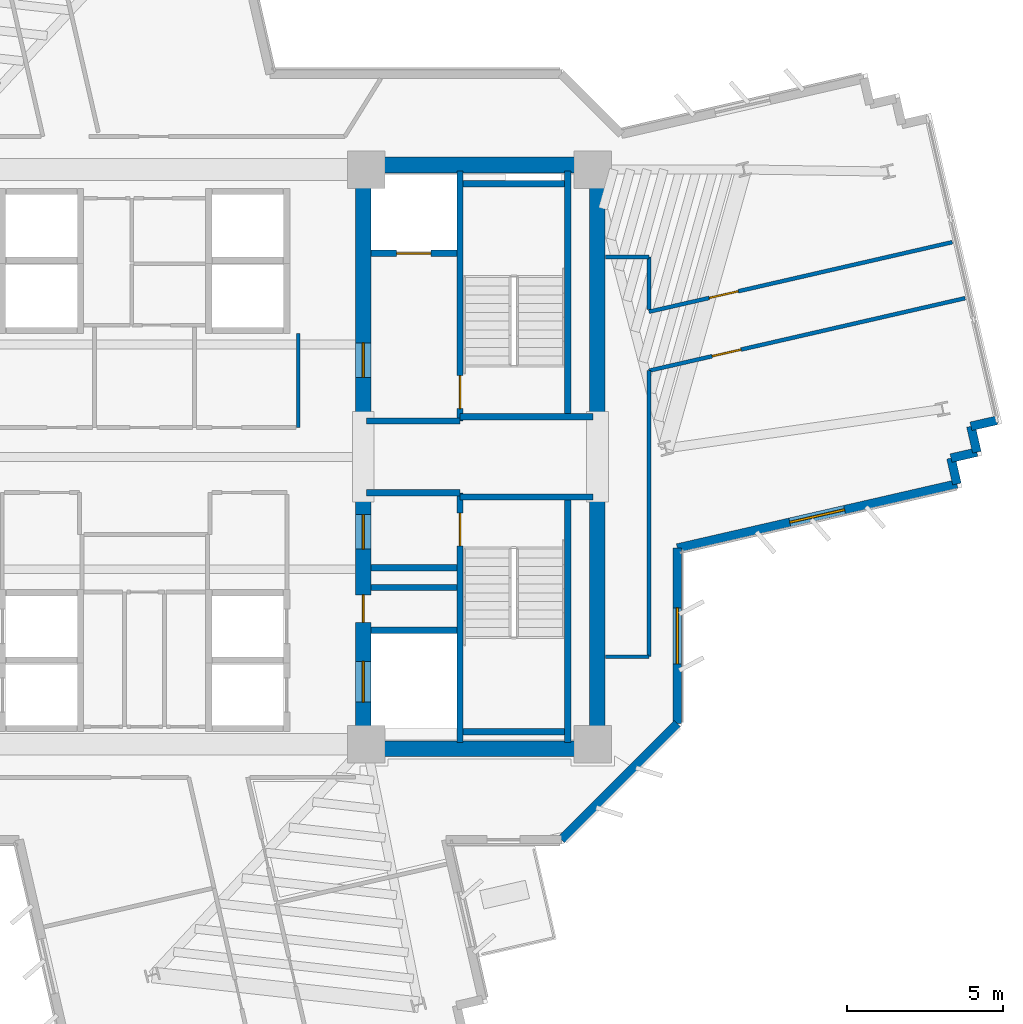
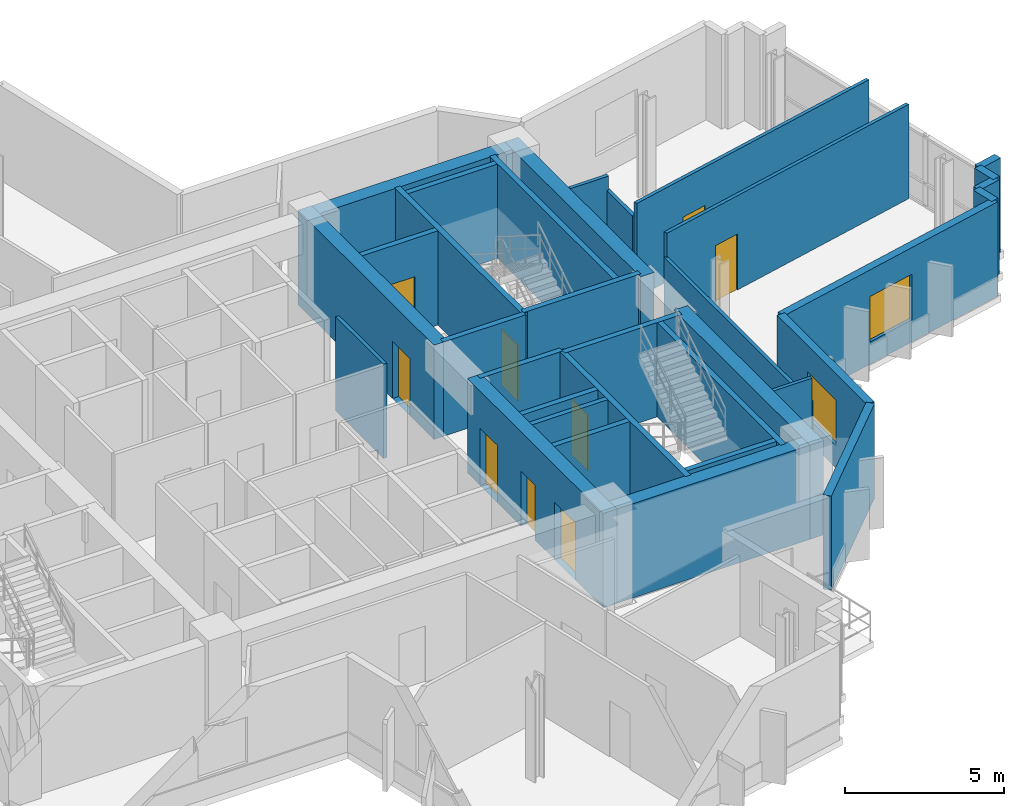
# One storey, part 9 of 13: 34 walls, 9 doors, 2 windows, 11 openings.
"""IFC4 building model written with IfcOpenShell, lengths in metres."""

from ifc_helpers import new_model, si_unit, direction, frame, frame_2d, origin, place, context, subcontext, project, spatial, rectangle, extrude, source, transform, mapped, material, layer, layer_set, type_object, element, fill, save


model = new_model("IFC4")

# Units and contexts
model_context = context("Model", 3, precision=1e-05, world=origin(), true_north=direction((0.0, 1.0)))
body_context = subcontext(model_context, "Body", "Model", "MODEL_VIEW")
ifc_project = project(units=[si_unit("LENGTHUNIT", "METRE"), si_unit("AREAUNIT", "SQUARE_METRE"), si_unit("VOLUMEUNIT", "CUBIC_METRE"), si_unit("PLANEANGLEUNIT", "RADIAN"), si_unit("MASSUNIT", "GRAM", prefix="KILO")], contexts=[model_context])

# Site, building, storey
site_placement = place(None, origin())
site = spatial("IfcSite", under=ifc_project, at=site_placement, CompositionType="ELEMENT")
building_placement = place(site_placement, origin())
building = spatial("IfcBuilding", under=site, at=building_placement, Name="Zahravan Cultural Tower", CompositionType="ELEMENT")
storey_placement = place(building_placement, frame((0.0, 0.0, 178.5)))
storey = spatial("IfcBuildingStorey", under=building, at=storey_placement, Name="L41", CompositionType="ELEMENT", Elevation=178.5)

# Wall, openings, doors
ifc_material_1 = material(Name="Concrete C60/75", Category="concrete")
ifc_layer_1 = layer(ifc_material_1, 0.5)
ifc_layer_set_1 = layer_set([ifc_layer_1], Name="Concrete C60/75")
wall_type_1 = type_object("IfcWallType", Name="CW-SHEAR-500-C60", PredefinedType="SHEAR", material=ifc_layer_set_1)
wall_1_placement = place(storey_placement, frame((43.0, 17.39990234375, 0.0), z_axis=(0.0, 0.0, 1.0), x_axis=(0.0, 1.0, 0.0)))
wall_1 = element("IfcWall", 1, at=wall_1_placement, inside=storey, type_object=wall_type_1, Name="L41 Core Shear Wall CW-E-WS-L41", PredefinedType="SHEAR", context=body_context, shape_type="SweptSolid", body=[
    extrude(rectangle(XDim=8.550048828125, YDim=0.5, at=frame_2d((4.27490234375, 0.0))), origin(), (0.0, 0.0, 1.0), 3.6201171875),
])
opening_1_placement = place(wall_1_placement, frame((6.64990234375, 0.0, 0.0)))
opening_1 = element("IfcOpeningElement", 2, at=opening_1_placement, cuts=wall_1, Name="Opening D-L41-08", PredefinedType="OPENING", context=body_context, shape_type="SweptSolid", body=[
    extrude(rectangle(XDim=1.10009765625, YDim=2.199951171875, at=frame_2d((0.550048828125, 1.10009765625))), frame((0.0, 0.260009765625, 0.0), z_axis=(0.0, -1.0, 0.0), x_axis=(1.0, 0.0, 0.0)), (0.0, 0.0, 1.0), 0.52001953125),
])
opening_2_placement = place(wall_1_placement, frame((1.75, 0.0, 0.0)))
opening_2 = element("IfcOpeningElement", 3, at=opening_2_placement, cuts=wall_1, Name="Opening LD-L41-03", PredefinedType="OPENING", context=body_context, shape_type="SweptSolid", body=[
    extrude(rectangle(XDim=1.300048828125, YDim=2.199951171875, at=frame_2d((0.64990234375, 1.10009765625))), frame((0.0, 0.260009765625, 0.0), z_axis=(0.0, -1.0, 0.0), x_axis=(1.0, 0.0, 0.0)), (0.0, 0.0, 1.0), 0.52001953125),
])
opening_3_placement = place(wall_1_placement, frame((4.300048828125, 0.0, 0.0)))
opening_3 = element("IfcOpeningElement", 4, at=opening_3_placement, cuts=wall_1, Name="Opening D-L41-12", PredefinedType="OPENING", context=body_context, shape_type="SweptSolid", body=[
    extrude(rectangle(XDim=0.8798828125, YDim=2.10009765625, at=frame_2d((0.43994140625, 1.050048828125))), frame((0.0, 0.260009765625, 0.0), z_axis=(0.0, -1.0, 0.0), x_axis=(1.0, 0.0, 0.0)), (0.0, 0.0, 1.0), 0.52001953125),
])
ifc_material_2 = material(Name="Steel ASTM A572 Grade 50", Category="steel")
door_type_1 = type_object("IfcDoorType", Name="DR-LOBBY-1100", OperationType="NOTDEFINED", PredefinedType="DOOR", material=ifc_material_2)
shared_shape_1 = source(origin(), body_context, "Body", "SweptSolid", [
    extrude(rectangle(XDim=1.10009765625, YDim=2.199951171875, at=frame_2d((0.550048828125, 1.10009765625))), frame((0.0, 0.02490234375, 0.0), z_axis=(0.0, -1.0, 0.0), x_axis=(1.0, 0.0, 0.0)), (0.0, 0.0, 1.0), 0.050048828125),
])
door_1_placement = place(opening_1_placement, origin())
door_1 = element("IfcDoor", 5, at=door_1_placement, inside=storey, type_object=door_type_1, Name="L41 Door D-L41-08", OperationType="SINGLE_SWING_RIGHT", OverallHeight=2.199951171875, OverallWidth=1.10009765625, PredefinedType="DOOR", context=body_context, shape_type="MappedRepresentation", body=[
    mapped(shared_shape_1, transform((0.0, 0.0, 0.0), x_axis=(1.0, 0.0, 0.0), y_axis=(0.0, 1.0, 0.0), z_axis=(0.0, 0.0, 1.0), scale=1.0)),
])
fill(opening_1, door_1)
door_type_2 = type_object("IfcDoorType", Name="DR-LIFT-1300", OperationType="DOUBLE_DOOR_SLIDING", PredefinedType="DOOR", material=ifc_material_2)
shared_shape_2 = source(origin(), body_context, "Body", "SweptSolid", [
    extrude(rectangle(XDim=1.300048828125, YDim=2.199951171875, at=frame_2d((0.64990234375, 1.10009765625))), frame((0.0, 0.02490234375, 0.0), z_axis=(0.0, -1.0, 0.0), x_axis=(1.0, 0.0, 0.0)), (0.0, 0.0, 1.0), 0.050048828125),
])
door_2_placement = place(opening_2_placement, origin())
door_2 = element("IfcDoor", 6, at=door_2_placement, inside=storey, type_object=door_type_2, Name="L41 Door LD-L41-03", OperationType="DOUBLE_DOOR_SLIDING", OverallHeight=2.199951171875, OverallWidth=1.300048828125, PredefinedType="DOOR", context=body_context, shape_type="MappedRepresentation", body=[
    mapped(shared_shape_2, transform((0.0, 0.0, 0.0), x_axis=(1.0, 0.0, 0.0), y_axis=(0.0, 1.0, 0.0), z_axis=(0.0, 0.0, 1.0), scale=1.0)),
])
fill(opening_2, door_2)
door_type_3 = type_object("IfcDoorType", Name="DR-SVC-880", OperationType="NOTDEFINED", PredefinedType="DOOR", material=ifc_material_2)
shared_shape_3 = source(origin(), body_context, "Body", "SweptSolid", [
    extrude(rectangle(XDim=0.8798828125, YDim=2.10009765625, at=frame_2d((0.43994140625, 1.050048828125))), frame((0.0, 0.02490234375, 0.0), z_axis=(0.0, -1.0, 0.0), x_axis=(1.0, 0.0, 0.0)), (0.0, 0.0, 1.0), 0.050048828125),
])
door_3_placement = place(opening_3_placement, origin())
door_3 = element("IfcDoor", 7, at=door_3_placement, inside=storey, type_object=door_type_3, Name="L41 Door D-L41-12", OperationType="SINGLE_SWING_RIGHT", OverallHeight=2.10009765625, OverallWidth=0.8798828125, PredefinedType="DOOR", context=body_context, shape_type="MappedRepresentation", body=[
    mapped(shared_shape_3, transform((0.0, 0.0, 0.0), x_axis=(1.0, 0.0, 0.0), y_axis=(0.0, 1.0, 0.0), z_axis=(0.0, 0.0, 1.0), scale=1.0)),
])
fill(opening_3, door_3)

# Wall, opening, door
wall_2_placement = place(storey_placement, frame((43.0, 28.050048828125, 0.0), z_axis=(0.0, 0.0, 1.0), x_axis=(0.0, 1.0, 0.0)))
wall_2 = element("IfcWall", 8, at=wall_2_placement, inside=storey, type_object=wall_type_1, Name="L41 Core Shear Wall CW-E-WN-L41", PredefinedType="SHEAR", context=body_context, shape_type="SweptSolid", body=[
    extrude(rectangle(XDim=8.550048828125, YDim=0.5, at=frame_2d((4.27490234375, 0.0))), origin(), (0.0, 0.0, 1.0), 3.6201171875),
])
opening_4_placement = place(wall_2_placement, frame((1.5, 0.0, 0.0)))
opening_4 = element("IfcOpeningElement", 9, at=opening_4_placement, cuts=wall_2, Name="Opening D-L41-06", PredefinedType="OPENING", context=body_context, shape_type="SweptSolid", body=[
    extrude(rectangle(XDim=1.10009765625, YDim=2.199951171875, at=frame_2d((0.550048828125, 1.10009765625))), frame((0.0, 0.260009765625, 0.0), z_axis=(0.0, -1.0, 0.0), x_axis=(1.0, 0.0, 0.0)), (0.0, 0.0, 1.0), 0.52001953125),
])
door_4_placement = place(opening_4_placement, origin())
door_4 = element("IfcDoor", 10, at=door_4_placement, inside=storey, type_object=door_type_1, Name="L41 Door D-L41-06", OperationType="SINGLE_SWING_RIGHT", OverallHeight=2.199951171875, OverallWidth=1.10009765625, PredefinedType="DOOR", context=body_context, shape_type="MappedRepresentation", body=[
    mapped(shared_shape_1, transform((0.0, 0.0, 0.0), x_axis=(1.0, 0.0, 0.0), y_axis=(0.0, 1.0, 0.0), z_axis=(0.0, 0.0, 1.0), scale=1.0)),
])
fill(opening_4, door_4)

# Wall, opening, window
ifc_material_3 = material(Name="Precast concrete C40/50", Category="concrete")
ifc_layer_2 = layer(ifc_material_3, 0.280029296875)
ifc_layer_set_2 = layer_set([ifc_layer_2], Name="Precast concrete C40/50")
wall_type_2 = type_object("IfcWallType", Name="EW-TC-280", PredefinedType="SOLIDWALL", material=ifc_layer_set_2)
wall_3_placement = place(storey_placement, frame((62.01220703125, 26.13427734375, 0.0), z_axis=(0.0, 0.0, 1.0), x_axis=(-0.974680686557, -0.223601340005, 0.0)))
wall_3 = element("IfcWall", 11, at=wall_3_placement, inside=storey, type_object=wall_type_2, Name="L41 Exterior Masonry Frame Wall 10", PredefinedType="SOLIDWALL", context=body_context, shape_type="SweptSolid", body=[
    extrude(rectangle(XDim=9.184814453125, YDim=0.280029296875, at=frame_2d((4.59228515625, 0.0))), origin(), (0.0, 0.0, 1.0), 3.6201171875),
])
opening_5_placement = place(wall_3_placement, frame((3.69189453125, 0.0, 0.85009765625)))
opening_5 = element("IfcOpeningElement", 12, at=opening_5_placement, cuts=wall_3, Name="Opening WN-02", PredefinedType="OPENING", context=body_context, shape_type="SweptSolid", body=[
    extrude(rectangle(XDim=1.800048828125, YDim=1.75, at=frame_2d((0.89990234375, 0.875))), frame((0.0, 0.14990234375, 0.0), z_axis=(0.0, -1.0, 0.0), x_axis=(1.0, 0.0, 0.0)), (0.0, 0.0, 1.0), 0.300048828125),
])
ifc_material_4 = material(Name="Low-E solar-control double glazing", Category="glass")
window_type = type_object("IfcWindowType", Name="WN-REC-1800X1750", PartitioningType="DOUBLE_PANEL_VERTICAL", PredefinedType="WINDOW", material=ifc_material_4)
shared_shape_4 = source(origin(), body_context, "Body", "SweptSolid", [
    extrude(rectangle(XDim=1.800048828125, YDim=1.75, at=frame_2d((0.89990234375, 0.875))), frame((0.0, 0.030029296875, 0.0), z_axis=(0.0, -1.0, 0.0), x_axis=(1.0, 0.0, 0.0)), (0.0, 0.0, 1.0), 0.06005859375),
])
window_1_placement = place(opening_5_placement, origin())
window_1 = element("IfcWindow", 13, at=window_1_placement, inside=storey, type_object=window_type, Name="L41 Recessed Solar Window 02", OverallHeight=1.75, OverallWidth=1.800048828125, PartitioningType="DOUBLE_PANEL_VERTICAL", PredefinedType="WINDOW", context=body_context, shape_type="MappedRepresentation", body=[
    mapped(shared_shape_4, transform((0.0, 0.0, 0.0), x_axis=(1.0, 0.0, 0.0), y_axis=(0.0, 1.0, 0.0), z_axis=(0.0, 0.0, 1.0), scale=1.0)),
])
fill(opening_5, window_1)

wall_4_placement = place(storey_placement, frame((53.06005859375, 24.08056640625, 0.0), z_axis=(0.0, 0.0, 1.0), x_axis=(0.0, -1.0, 0.0)))
wall_4 = element("IfcWall", 14, at=wall_4_placement, inside=storey, type_object=wall_type_2, Name="L41 Exterior Masonry Frame Wall 11", PredefinedType="SOLIDWALL", context=body_context, shape_type="SweptSolid", body=[
    extrude(rectangle(XDim=5.62255859375, YDim=0.280029296875, at=frame_2d((2.811279296875, 0.0))), origin(), (0.0, 0.0, 1.0), 3.6201171875),
])
opening_6_placement = place(wall_4_placement, frame((1.910888671875, 0.0, 0.85009765625)))
opening_6 = element("IfcOpeningElement", 15, at=opening_6_placement, cuts=wall_4, Name="Opening WN-02", PredefinedType="OPENING", context=body_context, shape_type="SweptSolid", body=[
    extrude(rectangle(XDim=1.800048828125, YDim=1.75, at=frame_2d((0.89990234375, 0.875))), frame((0.0, 0.14990234375, 0.0), z_axis=(0.0, -1.0, 0.0), x_axis=(1.0, 0.0, 0.0)), (0.0, 0.0, 1.0), 0.300048828125),
])
window_2_placement = place(opening_6_placement, origin())
window_2 = element("IfcWindow", 16, at=window_2_placement, inside=storey, type_object=window_type, Name="L41 Recessed Solar Window 03", OverallHeight=1.75, OverallWidth=1.800048828125, PartitioningType="DOUBLE_PANEL_VERTICAL", PredefinedType="WINDOW", context=body_context, shape_type="MappedRepresentation", body=[
    mapped(shared_shape_4, transform((0.0, 0.0, 0.0), x_axis=(1.0, 0.0, 0.0), y_axis=(0.0, 1.0, 0.0), z_axis=(0.0, 0.0, 1.0), scale=1.0)),
])
fill(opening_6, window_2)

# Wall, opening, door
ifc_material_5 = material(Name="Gypsum plasterboard partition")
ifc_layer_3 = layer(ifc_material_5, 0.125)
ifc_layer_set_3 = layer_set([ifc_layer_3], Name="Gypsum plasterboard partition")
wall_type_3 = type_object("IfcWallType", Name="W-PART-125", PredefinedType="PARTITIONING", material=ifc_layer_set_3)
wall_5_placement = place(storey_placement, frame((52.14990234375, 29.760986328125, 0.0), z_axis=(0.0, 0.0, 1.0), x_axis=(0.974685490502, 0.223580398525, 0.0)))
wall_5 = element("IfcWall", 17, at=wall_5_placement, inside=storey, type_object=wall_type_3, Name="L41 Interior Wall 103", PredefinedType="PARTITIONING", context=body_context, shape_type="SweptSolid", body=[
    extrude(rectangle(XDim=10.38671875, YDim=0.125, at=frame_2d((5.193359375, 0.0))), origin(), (0.0, 0.0, 1.0), 3.6201171875),
])
opening_7_placement = place(wall_5_placement, frame((2.075927734375, 0.0, 0.0)))
opening_7 = element("IfcOpeningElement", 18, at=opening_7_placement, cuts=wall_5, Name="Opening D-L41-23", PredefinedType="OPENING", context=body_context, shape_type="SweptSolid", body=[
    extrude(rectangle(XDim=0.949951171875, YDim=2.14990234375, at=frame_2d((0.47509765625, 1.074951171875))), frame((0.0, 0.072509765625, 0.0), z_axis=(0.0, -1.0, 0.0), x_axis=(1.0, 0.0, 0.0)), (0.0, 0.0, 1.0), 0.14501953125),
])
ifc_material_6 = material(Name="Anodised bronze-aluminium mullion", Category="aluminium")
door_type_4 = type_object("IfcDoorType", Name="DR-ROOM-950", OperationType="NOTDEFINED", PredefinedType="DOOR", material=ifc_material_6)
shared_shape_5 = source(origin(), body_context, "Body", "SweptSolid", [
    extrude(rectangle(XDim=0.949951171875, YDim=2.14990234375, at=frame_2d((0.47509765625, 1.074951171875))), frame((0.0, 0.02490234375, 0.0), z_axis=(0.0, -1.0, 0.0), x_axis=(1.0, 0.0, 0.0)), (0.0, 0.0, 1.0), 0.050048828125),
])
door_5_placement = place(opening_7_placement, origin())
door_5 = element("IfcDoor", 19, at=door_5_placement, inside=storey, type_object=door_type_4, Name="L41 Door D-L41-23", OperationType="SINGLE_SWING_LEFT", OverallHeight=2.14990234375, OverallWidth=0.949951171875, PredefinedType="DOOR", context=body_context, shape_type="MappedRepresentation", body=[
    mapped(shared_shape_5, transform((0.0, 0.0, 0.0), x_axis=(1.0, 0.0, 0.0), y_axis=(0.0, 1.0, 0.0), z_axis=(0.0, 0.0, 1.0), scale=1.0)),
])
fill(opening_7, door_5)

wall_6_placement = place(storey_placement, frame((61.8623046875, 33.876708984375, 0.0), z_axis=(0.0, 0.0, 1.0), x_axis=(-0.974682727551, -0.223592443106, 0.0)))
wall_6 = element("IfcWall", 20, at=wall_6_placement, inside=storey, type_object=wall_type_3, Name="L41 Interior Wall 105", PredefinedType="PARTITIONING", context=body_context, shape_type="SweptSolid", body=[
    extrude(rectangle(XDim=9.964599609375, YDim=0.125, at=frame_2d((4.982421875, 0.0))), origin(), (0.0, 0.0, 1.0), 3.6201171875),
])
opening_8_placement = place(wall_6_placement, frame((7.03125, 0.0, 0.0)))
opening_8 = element("IfcOpeningElement", 21, at=opening_8_placement, cuts=wall_6, Name="Opening D-L41-24", PredefinedType="OPENING", context=body_context, shape_type="SweptSolid", body=[
    extrude(rectangle(XDim=0.949951171875, YDim=2.14990234375, at=frame_2d((0.47509765625, 1.074951171875))), frame((0.0, 0.072509765625, 0.0), z_axis=(0.0, -1.0, 0.0), x_axis=(1.0, 0.0, 0.0)), (0.0, 0.0, 1.0), 0.14501953125),
])
door_6_placement = place(opening_8_placement, origin())
door_6 = element("IfcDoor", 22, at=door_6_placement, inside=storey, type_object=door_type_4, Name="L41 Door D-L41-24", OperationType="SINGLE_SWING_RIGHT", OverallHeight=2.14990234375, OverallWidth=0.949951171875, PredefinedType="DOOR", context=body_context, shape_type="MappedRepresentation", body=[
    mapped(shared_shape_5, transform((0.0, 0.0, 0.0), x_axis=(1.0, 0.0, 0.0), y_axis=(0.0, 1.0, 0.0), z_axis=(0.0, 0.0, 1.0), scale=1.0)),
])
fill(opening_8, door_6)

ifc_material_7 = material(Name="Concrete C45/55", Category="concrete")
ifc_layer_4 = layer(ifc_material_7, 0.199951171875)
ifc_layer_set_4 = layer_set([ifc_layer_4], Name="Concrete C45/55")
wall_type_4 = type_object("IfcWallType", Name="W-SHAFT-200", PredefinedType="SOLIDWALL", material=ifc_layer_set_4)
wall_7_placement = place(storey_placement, frame((46.10009765625, 17.85009765625, 0.0), z_axis=(0.0, 0.0, 1.0), x_axis=(0.0, 1.0, 0.0)))
wall_7 = element("IfcWall", 23, at=wall_7_placement, inside=storey, type_object=wall_type_4, Name="L41 Interior Wall 007", PredefinedType="SOLIDWALL", context=body_context, shape_type="SweptSolid", body=[
    extrude(rectangle(XDim=8.0, YDim=0.199951171875, at=frame_2d((4.0, 0.0))), origin(), (0.0, 0.0, 1.0), 3.6201171875),
])
opening_9_placement = place(wall_7_placement, frame((6.300048828125, 0.0, 0.0)))
opening_9 = element("IfcOpeningElement", 24, at=opening_9_placement, cuts=wall_7, Name="Opening D-L41-03", PredefinedType="OPENING", context=body_context, shape_type="SweptSolid", body=[
    extrude(rectangle(XDim=1.050048828125, YDim=2.14990234375, at=frame_2d((0.52490234375, 1.074951171875))), frame((0.0, 0.10986328125, 0.0), z_axis=(0.0, -1.0, 0.0), x_axis=(1.0, 0.0, 0.0)), (0.0, 0.0, 1.0), 0.219970703125),
])
door_type_5 = type_object("IfcDoorType", Name="DR-STAIR-1050", OperationType="NOTDEFINED", PredefinedType="DOOR", material=ifc_material_2)
shared_shape_6 = source(origin(), body_context, "Body", "SweptSolid", [
    extrude(rectangle(XDim=1.050048828125, YDim=2.14990234375, at=frame_2d((0.52490234375, 1.074951171875))), frame((0.0, 0.02490234375, 0.0), z_axis=(0.0, -1.0, 0.0), x_axis=(1.0, 0.0, 0.0)), (0.0, 0.0, 1.0), 0.050048828125),
])
door_7_placement = place(opening_9_placement, origin())
door_7 = element("IfcDoor", 25, at=door_7_placement, inside=storey, type_object=door_type_5, Name="L41 Door D-L41-03", OperationType="SINGLE_SWING_LEFT", OverallHeight=2.14990234375, OverallWidth=1.050048828125, PredefinedType="DOOR", context=body_context, shape_type="MappedRepresentation", body=[
    mapped(shared_shape_6, transform((0.0, 0.0, 0.0), x_axis=(1.0, 0.0, 0.0), y_axis=(0.0, 1.0, 0.0), z_axis=(0.0, 0.0, 1.0), scale=1.0)),
])
fill(opening_9, door_7)

wall_8_placement = place(storey_placement, frame((46.10009765625, 28.14990234375, 0.0), z_axis=(0.0, 0.0, 1.0), x_axis=(0.0, 1.0, 0.0)))
wall_8 = element("IfcWall", 26, at=wall_8_placement, inside=storey, type_object=wall_type_4, Name="L41 Interior Wall 008", PredefinedType="SOLIDWALL", context=body_context, shape_type="SweptSolid", body=[
    extrude(rectangle(XDim=8.0, YDim=0.199951171875, at=frame_2d((4.0, 0.0))), origin(), (0.0, 0.0, 1.0), 3.6201171875),
])
opening_10_placement = place(wall_8_placement, frame((0.39990234375, 0.0, 0.0)))
opening_10 = element("IfcOpeningElement", 27, at=opening_10_placement, cuts=wall_8, Name="Opening D-L41-02", PredefinedType="OPENING", context=body_context, shape_type="SweptSolid", body=[
    extrude(rectangle(XDim=1.050048828125, YDim=2.14990234375, at=frame_2d((0.52490234375, 1.074951171875))), frame((0.0, 0.10986328125, 0.0), z_axis=(0.0, -1.0, 0.0), x_axis=(1.0, 0.0, 0.0)), (0.0, 0.0, 1.0), 0.219970703125),
])
door_8_placement = place(opening_10_placement, origin())
door_8 = element("IfcDoor", 28, at=door_8_placement, inside=storey, type_object=door_type_5, Name="L41 Door D-L41-02", OperationType="SINGLE_SWING_RIGHT", OverallHeight=2.14990234375, OverallWidth=1.050048828125, PredefinedType="DOOR", context=body_context, shape_type="MappedRepresentation", body=[
    mapped(shared_shape_6, transform((0.0, 0.0, 0.0), x_axis=(1.0, 0.0, 0.0), y_axis=(0.0, 1.0, 0.0), z_axis=(0.0, 0.0, 1.0), scale=1.0)),
])
fill(opening_10, door_8)

wall_9_placement = place(storey_placement, frame((43.25, 33.52001953125, 0.0), z_axis=(0.0, 0.0, 1.0), x_axis=(1.0, 0.0, 0.0)))
wall_9 = element("IfcWall", 29, at=wall_9_placement, inside=storey, type_object=wall_type_4, Name="L41 Interior Wall 022", PredefinedType="SOLIDWALL", context=body_context, shape_type="SweptSolid", body=[
    extrude(rectangle(XDim=2.75, YDim=0.199951171875, at=frame_2d((1.375, 0.0))), origin(), (0.0, 0.0, 1.0), 3.6201171875),
])
opening_11_placement = place(wall_9_placement, frame((0.820068359375, 0.0, 0.0)))
opening_11 = element("IfcOpeningElement", 30, at=opening_11_placement, cuts=wall_9, Name="Opening LD-L41-02", PredefinedType="OPENING", context=body_context, shape_type="SweptSolid", body=[
    extrude(rectangle(XDim=1.10009765625, YDim=2.14990234375, at=frame_2d((0.550048828125, 1.074951171875))), frame((0.0, 0.10986328125, 0.0), z_axis=(0.0, -1.0, 0.0), x_axis=(1.0, 0.0, 0.0)), (0.0, 0.0, 1.0), 0.219970703125),
])
door_type_6 = type_object("IfcDoorType", Name="DR-LIFT-1100", OperationType="DOUBLE_DOOR_SLIDING", PredefinedType="DOOR", material=ifc_material_2)
shared_shape_7 = source(origin(), body_context, "Body", "SweptSolid", [
    extrude(rectangle(XDim=1.10009765625, YDim=2.14990234375, at=frame_2d((0.550048828125, 1.074951171875))), frame((0.0, 0.02490234375, 0.0), z_axis=(0.0, -1.0, 0.0), x_axis=(1.0, 0.0, 0.0)), (0.0, 0.0, 1.0), 0.050048828125),
])
door_9_placement = place(opening_11_placement, origin())
door_9 = element("IfcDoor", 31, at=door_9_placement, inside=storey, type_object=door_type_6, Name="L41 Door LD-L41-02", OperationType="DOUBLE_DOOR_SLIDING", OverallHeight=2.14990234375, OverallWidth=1.10009765625, PredefinedType="DOOR", context=body_context, shape_type="MappedRepresentation", body=[
    mapped(shared_shape_7, transform((0.0, 0.0, 0.0), x_axis=(1.0, 0.0, 0.0), y_axis=(0.0, 1.0, 0.0), z_axis=(0.0, 0.0, 1.0), scale=1.0)),
])
fill(opening_11, door_9)

# Walls
shared_shape_8 = source(origin(), body_context, "Body", "SweptSolid", [
    extrude(rectangle(XDim=8.550048828125, YDim=0.5, at=frame_2d((4.27490234375, 0.0))), origin(), (0.0, 0.0, 1.0), 3.6201171875),
])
for number, where, z_axis, x_axis, name in (
    (32, (50.5, 17.39990234375, 0.0), (0.0, 0.0, 1.0), (0.0, 1.0, 0.0), "L41 Core Shear Wall CW-E-ES-L41"),
    (33, (50.5, 28.050048828125, 0.0), (0.0, 0.0, 1.0), (0.0, 1.0, 0.0), "L41 Core Shear Wall CW-E-EN-L41"),
):
    element("IfcWall", number, at=place(storey_placement, frame(where, z_axis=z_axis, x_axis=x_axis)), inside=storey, type_object=wall_type_1, Name=name, PredefinedType="SHEAR", context=body_context, shape_type="MappedRepresentation", body=[
        mapped(shared_shape_8, transform((0.0, 0.0, 0.0), x_axis=(1.0, 0.0, 0.0), y_axis=(0.0, 1.0, 0.0), z_axis=(0.0, 0.0, 1.0), scale=1.0)),
    ])
shared_shape_9 = source(origin(), body_context, "Body", "SweptSolid", [
    extrude(rectangle(XDim=7.0, YDim=0.5, at=frame_2d((3.5, 0.0))), origin(), (0.0, 0.0, 1.0), 3.6201171875),
])
for number, where, z_axis, x_axis, name in (
    (34, (43.25, 17.64990234375, 0.0), (0.0, 0.0, 1.0), (1.0, 0.0, 0.0), "L41 Core Shear Wall CW-E-S-L41"),
    (35, (43.25, 36.35009765625, 0.0), (0.0, 0.0, 1.0), (1.0, 0.0, 0.0), "L41 Core Shear Wall CW-E-N-L41"),
):
    element("IfcWall", number, at=place(storey_placement, frame(where, z_axis=z_axis, x_axis=x_axis)), inside=storey, type_object=wall_type_1, Name=name, PredefinedType="SHEAR", context=body_context, shape_type="MappedRepresentation", body=[
        mapped(shared_shape_9, transform((0.0, 0.0, 0.0), x_axis=(1.0, 0.0, 0.0), y_axis=(0.0, 1.0, 0.0), z_axis=(0.0, 0.0, 1.0), scale=1.0)),
    ])
shared_shape_10 = source(origin(), body_context, "Body", "SweptSolid", [
    extrude(rectangle(XDim=0.85009765625, YDim=0.280029296875, at=frame_2d((0.425048828125, 0.0))), origin(), (0.0, 0.0, 1.0), 3.6201171875),
])
wall_10_placement = place(storey_placement, frame((62.460693359375, 27.981201171875, 0.0), z_axis=(0.0, 0.0, 1.0), x_axis=(0.22316012353, -0.974781800849, 0.0)))
element("IfcWall", 36, at=wall_10_placement, inside=storey, type_object=wall_type_2, Name="L41 Exterior Masonry Frame Wall 07", PredefinedType="SOLIDWALL", context=body_context, shape_type="MappedRepresentation", body=[
    mapped(shared_shape_10, transform((0.0, 0.0, 0.0), x_axis=(1.0, 0.0, 0.0), y_axis=(0.0, 1.0, 0.0), z_axis=(0.0, 0.0, 1.0), scale=1.0)),
])
shared_shape_11 = source(origin(), body_context, "Body", "SweptSolid", [
    extrude(rectangle(XDim=5.258056640625, YDim=0.280029296875, at=frame_2d((2.62890625, 0.0))), origin(), (0.0, 0.0, 1.0), 3.6201171875),
])
wall_11_placement = place(storey_placement, frame((53.06005859375, 18.4580078125, 0.0), z_axis=(0.0, 0.0, 1.0), x_axis=(-0.707106781187, -0.707106781187, 0.0)))
element("IfcWall", 37, at=wall_11_placement, inside=storey, type_object=wall_type_2, Name="L41 Exterior Masonry Frame Wall 12", PredefinedType="SOLIDWALL", context=body_context, shape_type="MappedRepresentation", body=[
    mapped(shared_shape_11, transform((0.0, 0.0, 0.0), x_axis=(1.0, 0.0, 0.0), y_axis=(0.0, 1.0, 0.0), z_axis=(0.0, 0.0, 1.0), scale=1.0)),
])
shared_shape_12 = source(origin(), body_context, "Body", "SweptSolid", [
    extrude(rectangle(XDim=0.849853515625, YDim=0.280029296875, at=frame_2d((0.4248046875, 0.0))), origin(), (0.0, 0.0, 1.0), 3.6201171875),
])
for number, where, z_axis, x_axis, name in (
    (38, (63.2890625, 28.171142578125, 0.0), (0.0, 0.0, 1.0), (-0.974704946586, -0.223495563939, 0.0), "L41 Exterior Masonry Frame Wall 06"),
    (39, (62.650390625, 27.152587890625, 0.0), (0.0, 0.0, 1.0), (-0.974704946586, -0.223495563939, 0.0), "L41 Exterior Masonry Frame Wall 08"),
    (40, (61.822021484375, 26.962646484375, 0.0), (0.0, 0.0, 1.0), (0.223768457828, -0.974642333003, 0.0), "L41 Exterior Masonry Frame Wall 09"),
):
    element("IfcWall", number, at=place(storey_placement, frame(where, z_axis=z_axis, x_axis=x_axis)), inside=storey, type_object=wall_type_2, Name=name, PredefinedType="SOLIDWALL", context=body_context, shape_type="MappedRepresentation", body=[
        mapped(shared_shape_12, transform((0.0, 0.0, 0.0), x_axis=(1.0, 0.0, 0.0), y_axis=(0.0, 1.0, 0.0), z_axis=(0.0, 0.0, 1.0), scale=1.0)),
    ])
shared_shape_13 = source(origin(), body_context, "Body", "SweptSolid", [
    extrude(rectangle(XDim=7.869873046875, YDim=0.199951171875, at=frame_2d((3.93505859375, 0.0))), origin(), (0.0, 0.0, 1.0), 3.6201171875),
])
for number, where, z_axis, x_axis, name in (
    (41, (49.550048828125, 17.85009765625, 0.0), (0.0, 0.0, 1.0), (0.0, 1.0, 0.0), "L41 Interior Wall 003"),
    (42, (49.550048828125, 28.280029296875, 0.0), (0.0, 0.0, 1.0), (0.0, 1.0, 0.0), "L41 Interior Wall 004"),
):
    element("IfcWall", number, at=place(storey_placement, frame(where, z_axis=z_axis, x_axis=x_axis)), inside=storey, type_object=wall_type_4, Name=name, PredefinedType="SOLIDWALL", context=body_context, shape_type="MappedRepresentation", body=[
        mapped(shared_shape_13, transform((0.0, 0.0, 0.0), x_axis=(1.0, 0.0, 0.0), y_axis=(0.0, 1.0, 0.0), z_axis=(0.0, 0.0, 1.0), scale=1.0)),
    ])
shared_shape_14 = source(origin(), body_context, "Body", "SweptSolid", [
    extrude(rectangle(XDim=4.25, YDim=0.199951171875, at=frame_2d((2.125, 0.0))), origin(), (0.0, 0.0, 1.0), 3.6201171875),
])
for number, where, z_axis, x_axis, name in (
    (43, (46.10009765625, 25.715087890625, 0.0), (0.0, 0.0, 1.0), (1.0, 0.0, 0.0), "L41 Interior Wall 014"),
    (44, (46.10009765625, 28.284912109375, 0.0), (0.0, 0.0, 1.0), (1.0, 0.0, 0.0), "L41 Interior Wall 016"),
):
    element("IfcWall", number, at=place(storey_placement, frame(where, z_axis=z_axis, x_axis=x_axis)), inside=storey, type_object=wall_type_4, Name=name, PredefinedType="SOLIDWALL", context=body_context, shape_type="MappedRepresentation", body=[
        mapped(shared_shape_14, transform((0.0, 0.0, 0.0), x_axis=(1.0, 0.0, 0.0), y_axis=(0.0, 1.0, 0.0), z_axis=(0.0, 0.0, 1.0), scale=1.0)),
    ])
shared_shape_15 = source(origin(), body_context, "Body", "SweptSolid", [
    extrude(rectangle(XDim=3.0, YDim=0.199951171875, at=frame_2d((1.5, 0.0))), origin(), (0.0, 0.0, 1.0), 3.6201171875),
])
for number, where, z_axis, x_axis, name in (
    (45, (43.10009765625, 25.85009765625, 0.0), (0.0, 0.0, 1.0), (1.0, 0.0, 0.0), "L41 Interior Wall 013"),
    (46, (43.10009765625, 28.14990234375, 0.0), (0.0, 0.0, 1.0), (1.0, 0.0, 0.0), "L41 Interior Wall 015"),
):
    element("IfcWall", number, at=place(storey_placement, frame(where, z_axis=z_axis, x_axis=x_axis)), inside=storey, type_object=wall_type_4, Name=name, PredefinedType="SOLIDWALL", context=body_context, shape_type="MappedRepresentation", body=[
        mapped(shared_shape_15, transform((0.0, 0.0, 0.0), x_axis=(1.0, 0.0, 0.0), y_axis=(0.0, 1.0, 0.0), z_axis=(0.0, 0.0, 1.0), scale=1.0)),
    ])
shared_shape_16 = source(origin(), body_context, "Body", "SweptSolid", [
    extrude(rectangle(XDim=3.25, YDim=0.199951171875, at=frame_2d((1.625, 0.0))), origin(), (0.0, 0.0, 1.0), 3.6201171875),
])
for number, where, z_axis, x_axis, name in (
    (47, (46.199951171875, 35.75, 0.0), (0.0, 0.0, 1.0), (1.0, 0.0, 0.0), "L41 Interior Wall 018"),
    (48, (46.199951171875, 18.199951171875, 0.0), (0.0, 0.0, 1.0), (1.0, 0.0, 0.0), "L41 Interior Wall 020"),
):
    element("IfcWall", number, at=place(storey_placement, frame(where, z_axis=z_axis, x_axis=x_axis)), inside=storey, type_object=wall_type_4, Name=name, PredefinedType="SOLIDWALL", context=body_context, shape_type="MappedRepresentation", body=[
        mapped(shared_shape_16, transform((0.0, 0.0, 0.0), x_axis=(1.0, 0.0, 0.0), y_axis=(0.0, 1.0, 0.0), z_axis=(0.0, 0.0, 1.0), scale=1.0)),
    ])
shared_shape_17 = source(origin(), body_context, "Body", "SweptSolid", [
    extrude(rectangle(XDim=2.75, YDim=0.199951171875, at=frame_2d((1.375, 0.0))), origin(), (0.0, 0.0, 1.0), 3.6201171875),
])
for number, where, z_axis, x_axis, name in (
    (49, (43.25, 23.449951171875, 0.0), (0.0, 0.0, 1.0), (1.0, 0.0, 0.0), "L41 Interior Wall 024"),
    (50, (43.25, 21.449951171875, 0.0), (0.0, 0.0, 1.0), (1.0, 0.0, 0.0), "L41 Interior Wall 025"),
):
    element("IfcWall", number, at=place(storey_placement, frame(where, z_axis=z_axis, x_axis=x_axis)), inside=storey, type_object=wall_type_4, Name=name, PredefinedType="SOLIDWALL", context=body_context, shape_type="MappedRepresentation", body=[
        mapped(shared_shape_17, transform((0.0, 0.0, 0.0), x_axis=(1.0, 0.0, 0.0), y_axis=(0.0, 1.0, 0.0), z_axis=(0.0, 0.0, 1.0), scale=1.0)),
    ])
ifc_layer_5 = layer(ifc_material_5, 0.179931640625)
ifc_layer_set_5 = layer_set([ifc_layer_5], Name="Gypsum plasterboard partition")
wall_type_5 = type_object("IfcWallType", Name="W-COMP-180", PredefinedType="PARTITIONING", material=ifc_layer_set_5)
shared_shape_18 = source(origin(), body_context, "Body", "SweptSolid", [
    extrude(rectangle(XDim=2.75, YDim=0.179931640625, at=frame_2d((1.375, 0.0))), origin(), (0.0, 0.0, 1.0), 3.6201171875),
])
wall_12_placement = place(storey_placement, frame((43.25, 22.820068359375, 0.0), z_axis=(0.0, 0.0, 1.0), x_axis=(1.0, 0.0, 0.0)))
element("IfcWall", 51, at=wall_12_placement, inside=storey, type_object=wall_type_5, Name="L41 Interior Wall 028", PredefinedType="PARTITIONING", context=body_context, shape_type="MappedRepresentation", body=[
    mapped(shared_shape_18, transform((0.0, 0.0, 0.0), x_axis=(1.0, 0.0, 0.0), y_axis=(0.0, 1.0, 0.0), z_axis=(0.0, 0.0, 1.0), scale=1.0)),
])
shared_shape_19 = source(origin(), body_context, "Body", "SweptSolid", [
    extrude(rectangle(XDim=3.010009765625, YDim=0.125, at=frame_2d((1.5048828125, 0.0))), origin(), (0.0, 0.0, 1.0), 3.6201171875),
])
wall_13_placement = place(storey_placement, frame((40.919921875, 30.949951171875, 0.0), z_axis=(0.0, 0.0, 1.0), x_axis=(0.0, -1.0, 0.0)))
element("IfcWall", 52, at=wall_13_placement, inside=storey, type_object=wall_type_3, Name="L41 Interior Wall 086", PredefinedType="PARTITIONING", context=body_context, shape_type="MappedRepresentation", body=[
    mapped(shared_shape_19, transform((0.0, 0.0, 0.0), x_axis=(1.0, 0.0, 0.0), y_axis=(0.0, 1.0, 0.0), z_axis=(0.0, 0.0, 1.0), scale=1.0)),
])
shared_shape_20 = source(origin(), body_context, "Body", "SweptSolid", [
    extrude(rectangle(XDim=1.39404296875, YDim=0.125, at=frame_2d((0.697021484375, 0.0))), origin(), (0.0, 0.0, 1.0), 3.6201171875),
])
wall_14_placement = place(storey_placement, frame((52.14892578125, 33.39892578125, 0.0), z_axis=(0.0, 0.0, 1.0), x_axis=(-0.999999754632, 0.000700525222, 0.0)))
element("IfcWall", 53, at=wall_14_placement, inside=storey, type_object=wall_type_3, Name="L41 Interior Wall 107", PredefinedType="PARTITIONING", context=body_context, shape_type="MappedRepresentation", body=[
    mapped(shared_shape_20, transform((0.0, 0.0, 0.0), x_axis=(1.0, 0.0, 0.0), y_axis=(0.0, 1.0, 0.0), z_axis=(0.0, 0.0, 1.0), scale=1.0)),
])
shared_shape_21 = source(origin(), body_context, "Body", "SweptSolid", [
    extrude(rectangle(XDim=1.38916015625, YDim=0.125, at=frame_2d((0.694580078125, 0.0))), origin(), (0.0, 0.0, 1.0), 3.6201171875),
])
wall_15_placement = place(storey_placement, frame((50.7548828125, 20.60009765625, 0.0), z_axis=(0.0, 0.0, 1.0), x_axis=(1.0, 0.0, 0.0)))
element("IfcWall", 54, at=wall_15_placement, inside=storey, type_object=wall_type_3, Name="L41 Interior Wall 101", PredefinedType="PARTITIONING", context=body_context, shape_type="MappedRepresentation", body=[
    mapped(shared_shape_21, transform((0.0, 0.0, 0.0), x_axis=(1.0, 0.0, 0.0), y_axis=(0.0, 1.0, 0.0), z_axis=(0.0, 0.0, 1.0), scale=1.0)),
])
shared_shape_22 = source(origin(), body_context, "Body", "SweptSolid", [
    extrude(rectangle(XDim=9.1533203125, YDim=0.125, at=frame_2d((4.57666015625, 0.0))), origin(), (0.0, 0.0, 1.0), 2.693115234375),
])
wall_16_placement = place(storey_placement, frame((52.149658203125, 20.607666015625, 0.0), z_axis=(0.0, 0.0, 1.0), x_axis=(2.6672357e-05, 0.999999999644, 0.0)))
element("IfcWall", 55, at=wall_16_placement, inside=storey, type_object=wall_type_3, Name="L41 Interior Wall 102", PredefinedType="PARTITIONING", context=body_context, shape_type="MappedRepresentation", body=[
    mapped(shared_shape_22, transform((0.0, 0.0, 0.0), x_axis=(1.0, 0.0, 0.0), y_axis=(0.0, 1.0, 0.0), z_axis=(0.0, 0.0, 1.0), scale=1.0)),
])
shared_shape_23 = source(origin(), body_context, "Body", "SweptSolid", [
    extrude(rectangle(XDim=1.680908203125, YDim=0.125, at=frame_2d((0.84033203125, 0.0))), origin(), (0.0, 0.0, 1.0), 3.0791015625),
])
wall_17_placement = place(storey_placement, frame((52.14990234375, 31.718017578125, 0.0), z_axis=(0.0, 0.0, 1.0), x_axis=(-0.000580973032, 0.999999831235, 0.0)))
element("IfcWall", 56, at=wall_17_placement, inside=storey, type_object=wall_type_3, Name="L41 Interior Wall 106", PredefinedType="PARTITIONING", context=body_context, shape_type="MappedRepresentation", body=[
    mapped(shared_shape_23, transform((0.0, 0.0, 0.0), x_axis=(1.0, 0.0, 0.0), y_axis=(0.0, 1.0, 0.0), z_axis=(0.0, 0.0, 1.0), scale=1.0)),
])

save(model, "model.ifc")
